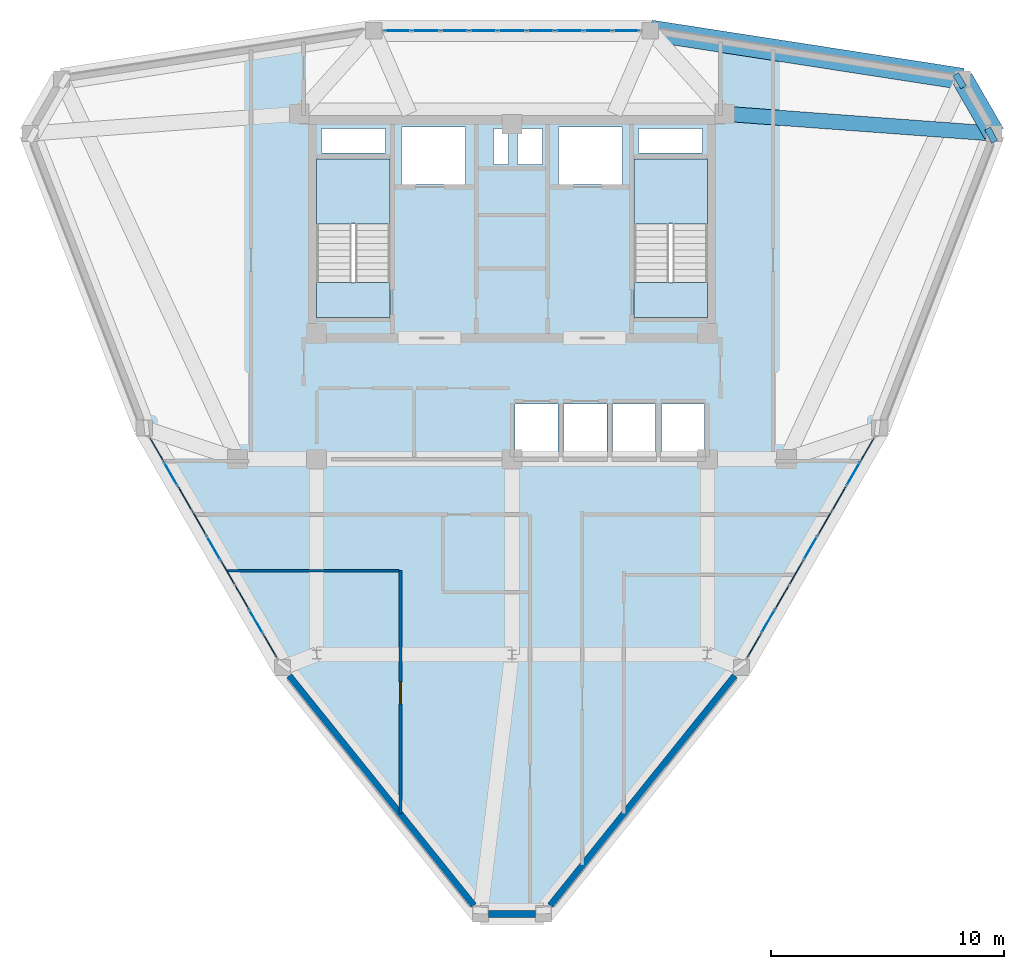
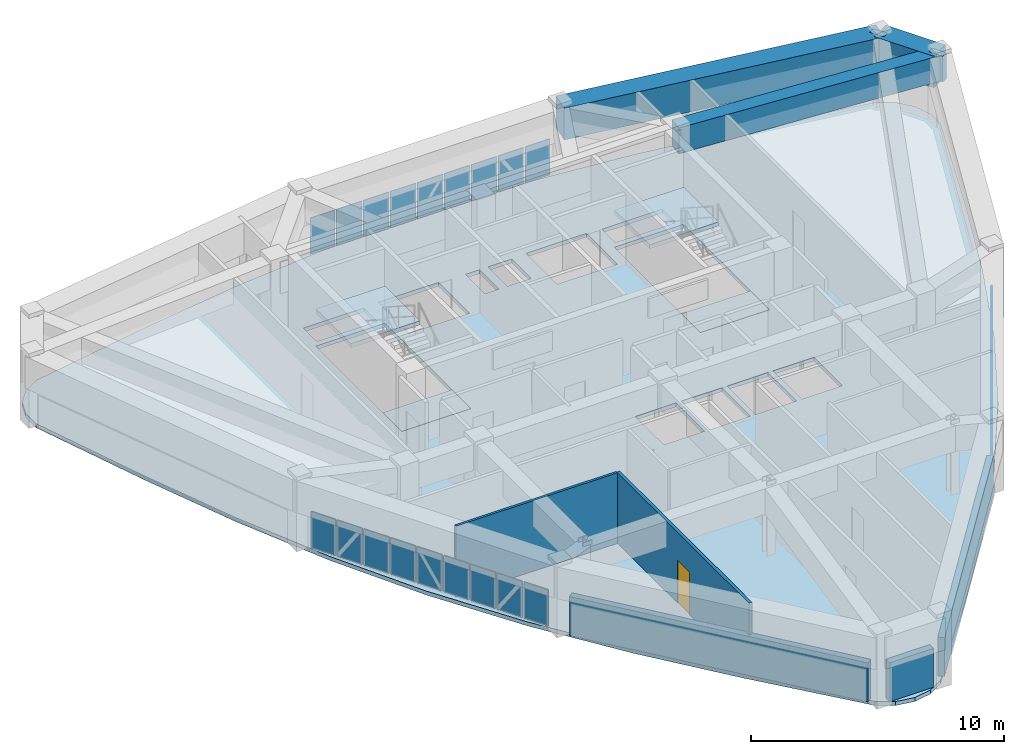
# One storey, part 12 of 16: 27 plates, 5 beams, 5 slabs, 5 walls, 1 door, 1 opening, 5 elements without a shape of their own.
"""IFC4 building model written with IfcOpenShell, lengths in metres."""

from ifc_helpers import new_model, si_unit, derived_unit, direction, frame, frame_2d, origin, origin_2d, place, context, subcontext, project, spatial, polyline, rectangle, outline, extrude, source, transform, mapped, material, layer, layer_set, material_profile, profile_set, type_object, element, fill, aggregate, save


model = new_model("IFC4")

# Units and contexts
model_context = context("Model", 3, precision=1e-05, world=origin(), true_north=direction((0.0, 1.0)))
body_context = subcontext(model_context, "Body", "Model", "MODEL_VIEW")
ifc_project = project(units=[si_unit("LENGTHUNIT", "METRE"), si_unit("AREAUNIT", "SQUARE_METRE"), si_unit("VOLUMEUNIT", "CUBIC_METRE"), si_unit("PLANEANGLEUNIT", "RADIAN"), si_unit("MASSUNIT", "GRAM", prefix="KILO"), derived_unit("THERMALTRANSMITTANCEUNIT", [(si_unit("POWERUNIT", "WATT"), 1), (si_unit("LENGTHUNIT", "METRE"), -2), (si_unit("THERMODYNAMICTEMPERATUREUNIT", "KELVIN"), -1)])], contexts=[model_context])

# Site, building, storey
site_placement = place(None, origin())
site = spatial("IfcSite", under=ifc_project, at=site_placement, CompositionType="ELEMENT")
building_placement = place(site_placement, origin())
building = spatial("IfcBuilding", under=site, at=building_placement, Name="Korsvarv Bourse and Concert Hall", CompositionType="ELEMENT")
storey_placement = place(building_placement, frame((0.0, 0.0, 261.0)))
storey = spatial("IfcBuildingStorey", under=building, at=storey_placement, Name="L68", CompositionType="ELEMENT", Elevation=261.0)

# Beams
ifc_material_1 = material(Name="Concrete C50/60", Category="concrete")
ifc_material_profile_1 = material_profile(ifc_material_1, rectangle(XDim=0.919921875, YDim=1.530029296875, at=origin_2d()), Name="RC-BM 920x1530")
ifc_profile_set_1 = profile_set([ifc_material_profile_1], Name="Concrete C50/60")
beam_type_1 = type_object("IfcBeamType", Name="BM-TR-154", PredefinedType="BEAM", material=ifc_profile_set_1)
shared_shape_1 = source(origin(), body_context, "Body", "SweptSolid", [
    extrude(rectangle(XDim=0.919921875, YDim=1.530029296875, at=origin_2d()), origin(), (0.0, 0.0, 1.0), 2.71337890625),
])
beam_1_placement = place(storey_placement, frame((56.72509765625, 46.399169921875, 2.64501953125), z_axis=(-0.500000246922, 0.866025261224, 0.0), x_axis=(-0.866025261224, -0.500000246922, 0.0)))
element("IfcBeam", 1, at=beam_1_placement, inside=storey, type_object=beam_type_1, Name="L68 beam B-TR6", PredefinedType="BEAM", context=body_context, shape_type="MappedRepresentation", body=[
    mapped(shared_shape_1, transform((0.0, 0.0, 0.0), scale=1.0)),
])
shared_shape_2 = source(origin(), body_context, "Body", "SweptSolid", [
    extrude(rectangle(XDim=0.919921875, YDim=1.530029296875, at=origin_2d()), origin(), (0.0, 0.0, 1.0), 13.581787109375),
])
beam_2_placement = place(storey_placement, frame((55.368408203125, 48.7490234375, 2.64501953125), z_axis=(-0.988275075433, 0.152683906414, 0.0), x_axis=(-0.152683906414, -0.988275075433, 0.0)))
element("IfcBeam", 2, at=beam_2_placement, inside=storey, type_object=beam_type_1, Name="L68 beam B-TR6", PredefinedType="BEAM", context=body_context, shape_type="MappedRepresentation", body=[
    mapped(shared_shape_2, transform((0.0, 0.0, 0.0), scale=1.0)),
])
ifc_material_profile_2 = material_profile(ifc_material_1, rectangle(XDim=0.64990234375, YDim=1.239990234375, at=origin_2d()), Name="RC-BM 650x1240")
ifc_profile_set_2 = profile_set([ifc_material_profile_2], Name="Concrete C50/60")
beam_type_2 = type_object("IfcBeamType", Name="BM-TR-SPN", PredefinedType="BEAM", material=ifc_profile_set_2)
shared_shape_3 = source(origin(), body_context, "Body", "SweptSolid", [
    extrude(rectangle(XDim=0.64990234375, YDim=1.239990234375, at=origin_2d()), origin(), (0.0, 0.0, 1.0), 11.6064453125),
])
beam_3_placement = place(storey_placement, frame((56.72509765625, 46.399169921875, 2.7900390625), z_axis=(-0.997309434835, 0.073306829081, 0.0), x_axis=(-0.073306829081, -0.997309434835, 0.0)))
element("IfcBeam", 3, at=beam_3_placement, inside=storey, type_object=beam_type_2, Name="L68 beam B-TRS", PredefinedType="BEAM", context=body_context, shape_type="MappedRepresentation", body=[
    mapped(shared_shape_3, transform((0.0, 0.0, 0.0), scale=1.0)),
])
shared_shape_4 = source(origin(), body_context, "Body", "SweptSolid", [
    extrude(rectangle(XDim=0.64990234375, YDim=1.239990234375, at=origin_2d()), origin(), (0.0, 0.0, 1.0), 0.283935546875),
])
for number, where, z_axis, x_axis, name in (
    (4, (56.72509765625, 46.399169921875, 2.7900390625), (-0.883871558168, -0.467729696151, 0.0), (0.467729696151, -0.883871558168, 0.0), "L68 beam B-TRS"),
    (5, (55.368408203125, 48.7490234375, 2.7900390625), (-0.846691871974, -0.532083521576, 0.0), (0.532083521576, -0.846691871974, 0.0), "L68 beam B-TRS"),
):
    element("IfcBeam", number, at=place(storey_placement, frame(where, z_axis=z_axis, x_axis=x_axis)), inside=storey, type_object=beam_type_2, Name=name, PredefinedType="BEAM", context=body_context, shape_type="MappedRepresentation", body=[
        mapped(shared_shape_4, transform((0.0, 0.0, 0.0), scale=1.0)),
    ])

# Slabs
ifc_material_2 = material(Name="Precast concrete C45/55", Category="concrete")
ifc_layer_1 = layer(ifc_material_2, 0.199951171875)
ifc_layer_set_1 = layer_set([ifc_layer_1], Name="Precast concrete C45/55")
slab_type_1 = type_object("IfcSlabType", Name="SLB-FLND-T", PredefinedType="LANDING", material=ifc_layer_set_1)
slab_1_placement = place(storey_placement, frame((0.0, 0.0, -0.199951171875)))
element("IfcSlab", 6, at=slab_1_placement, inside=storey, type_object=slab_type_1, Name="L68 Stair ST-T1 Floor Landing Slab", PredefinedType="LANDING", context=body_context, shape_type="SweptSolid", body=[
    extrude(outline(polyline([(30.760009765625, 38.5), (30.760009765625, 40.0), (27.60009765625, 40.0), (27.60009765625, 38.5), (30.760009765625, 38.5)])), origin(), (0.0, 0.0, 1.0), 0.199951171875),
])
slab_2_placement = place(storey_placement, frame((0.0, 0.0, -0.199951171875)))
element("IfcSlab", 7, at=slab_2_placement, inside=storey, type_object=slab_type_1, Name="L68 Stair ST-T2 Floor Landing Slab", PredefinedType="LANDING", context=body_context, shape_type="SweptSolid", body=[
    extrude(outline(polyline([(44.39990234375, 38.5), (44.39990234375, 40.0), (41.239990234375, 40.0), (41.239990234375, 38.5), (44.39990234375, 38.5)])), origin(), (0.0, 0.0, 1.0), 0.199951171875),
])

# Stair, slab
stair_type = type_object("IfcStairType", Name="STR-TYPE-04", PredefinedType="HALF_TURN_STAIR", material=ifc_material_2)
stair_1_placement = place(storey_placement, origin())
stair_1 = element("IfcStair", 8, at=stair_1_placement, inside=storey, type_object=stair_type, Name="L68 Tower West Exit Stair ST-T1", PredefinedType="HALF_TURN_STAIR")
ifc_layer_2 = layer(ifc_material_2, 0.199951171875)
ifc_layer_set_2 = layer_set([ifc_layer_2], Name="Precast concrete C45/55")
slab_type_2 = type_object("IfcSlabType", Name="SLB-ST-LND", PredefinedType="LANDING", material=ifc_layer_set_2)
slab_3_placement = place(storey_placement, frame((0.0, 0.0, 1.60009765625)))
slab_3 = element("IfcSlab", 9, at=slab_3_placement, type_object=slab_type_2, Name="ST-T1 landing 1", PredefinedType="LANDING", context=body_context, shape_type="SweptSolid", body=[
    extrude(outline(polyline([(30.760009765625, 42.52001953125), (30.760009765625, 45.300048828125), (27.60009765625, 45.300048828125), (27.60009765625, 42.52001953125), (30.760009765625, 42.52001953125)])), origin(), (0.0, 0.0, 1.0), 0.199951171875),
])
aggregate(stair_1, [slab_3])

stair_2_placement = place(storey_placement, origin())
stair_2 = element("IfcStair", 10, at=stair_2_placement, inside=storey, type_object=stair_type, Name="L68 Tower East Exit Stair ST-T2", PredefinedType="HALF_TURN_STAIR")
slab_4_placement = place(storey_placement, frame((0.0, 0.0, 1.60009765625)))
slab_4 = element("IfcSlab", 11, at=slab_4_placement, type_object=slab_type_2, Name="ST-T2 landing 1", PredefinedType="LANDING", context=body_context, shape_type="SweptSolid", body=[
    extrude(outline(polyline([(44.39990234375, 42.52001953125), (44.39990234375, 45.300048828125), (41.239990234375, 45.300048828125), (41.239990234375, 42.52001953125), (44.39990234375, 42.52001953125)])), origin(), (0.0, 0.0, 1.0), 0.199951171875),
])
aggregate(stair_2, [slab_4])

# Slab
ifc_material_3 = material(Name="Concrete C45/55", Category="concrete")
ifc_layer_3 = layer(ifc_material_3, 0.18994140625)
ifc_layer_set_3 = layer_set([ifc_layer_3], Name="Concrete C45/55")
slab_type_3 = type_object("IfcSlabType", Name="SLB-TW3", PredefinedType="FLOOR", material=ifc_layer_set_3)
slab_5_placement = place(storey_placement, frame((0.0, 0.0, -0.18994140625)))
element("IfcSlab", 12, at=slab_5_placement, inside=storey, type_object=slab_type_3, Name="L68 tower structural floor slab", PredefinedType="FLOOR", context=body_context, shape_type="SweptSolid", body=[
    extrude(outline(polyline([(56.33544921875, 45.296142578125), (54.7470703125, 40.9228515625), (53.059814453125, 36.63134765625), (51.1826171875, 32.468994140625), (49.05419921875, 28.463134765625), (46.6494140625, 24.61669921875), (43.983154296875, 20.91015625), (41.110107421875, 17.302978515625), (38.11669921875, 13.740478515625), (37.496826171875, 13.001953125), (36.79638671875, 12.59765625), (36.0, 12.457275390625), (35.20361328125, 12.59765625), (34.503173828125, 13.001953125), (33.883056640625, 13.740966796875), (30.889892578125, 17.302978515625), (28.016845703125, 20.91015625), (25.3505859375, 24.61669921875), (22.94580078125, 28.463134765625), (20.8173828125, 32.468994140625), (18.940185546875, 36.63134765625), (17.2529296875, 40.9228515625), (15.664306640625, 45.296875), (15.334716796875, 46.20263671875), (15.334716796875, 47.011474609375), (15.611328125, 47.771484375), (16.131103515625, 48.39111328125), (16.83154296875, 48.79541015625), (17.781494140625, 48.962890625), (22.363037109375, 49.774169921875), (26.92333984375, 50.45849609375), (31.466552734375, 50.9140625), (36.0, 51.07373046875), (40.533447265625, 50.9140625), (45.07666015625, 50.45849609375), (49.636962890625, 49.774169921875), (54.218994140625, 48.962890625), (55.16845703125, 48.79541015625), (55.868896484375, 48.39111328125), (56.388671875, 47.771484375), (56.665283203125, 47.011474609375), (56.665283203125, 46.20263671875), (56.33544921875, 45.296142578125)]), holes=[polyline([(30.760009765625, 38.5), (30.760009765625, 45.300048828125), (27.60009765625, 45.300048828125), (27.60009765625, 38.5), (30.760009765625, 38.5)]), polyline([(44.39990234375, 38.5), (44.39990234375, 45.300048828125), (41.239990234375, 45.300048828125), (41.239990234375, 38.5), (44.39990234375, 38.5)]), polyline([(31.239990234375, 44.219970703125), (34.0, 44.219970703125), (34.0, 46.679931640625), (31.239990234375, 46.679931640625), (31.239990234375, 44.219970703125)]), polyline([(38.0, 44.219970703125), (40.760009765625, 44.219970703125), (40.760009765625, 46.679931640625), (38.0, 46.679931640625), (38.0, 44.219970703125)]), polyline([(36.1201171875, 32.52001953125), (37.97998046875, 32.52001953125), (37.97998046875, 34.780029296875), (36.1201171875, 34.780029296875), (36.1201171875, 32.52001953125)]), polyline([(38.219970703125, 32.52001953125), (40.080078125, 32.52001953125), (40.080078125, 34.780029296875), (38.219970703125, 34.780029296875), (38.219970703125, 32.52001953125)]), polyline([(40.320068359375, 32.52001953125), (42.179931640625, 32.52001953125), (42.179931640625, 34.780029296875), (40.320068359375, 34.780029296875), (40.320068359375, 32.52001953125)]), polyline([(42.419921875, 32.52001953125), (44.280029296875, 32.52001953125), (44.280029296875, 34.780029296875), (42.419921875, 34.780029296875), (42.419921875, 32.52001953125)]), polyline([(27.800048828125, 45.56005859375), (30.56005859375, 45.56005859375), (30.56005859375, 46.6201171875), (27.800048828125, 46.6201171875), (27.800048828125, 45.56005859375)]), polyline([(41.43994140625, 45.56005859375), (44.199951171875, 45.56005859375), (44.199951171875, 46.6201171875), (41.43994140625, 46.6201171875), (41.43994140625, 45.56005859375)]), polyline([(35.199951171875, 45.080078125), (35.840087890625, 45.080078125), (35.840087890625, 46.6201171875), (35.199951171875, 46.6201171875), (35.199951171875, 45.080078125)]), polyline([(36.239990234375, 45.080078125), (37.320068359375, 45.080078125), (37.320068359375, 46.6201171875), (36.239990234375, 46.6201171875), (36.239990234375, 45.080078125)])]), origin(), (0.0, 0.0, 1.0), 0.18994140625),
])

# Curtain wall, plates
ifc_material_4 = material(Name="Anodised aluminium and triple low-E glazing", Category="glass")
ifc_layer_4 = layer(ifc_material_4, 0.199951171875)
ifc_layer_set_4 = layer_set([ifc_layer_4], Name="Anodised aluminium and triple low-E glazing")
curtain_wall_type = type_object("IfcCurtainWallType", Name="CW-SYS-3", PredefinedType="NOTDEFINED", material=ifc_layer_set_4)
curtain_wall_1_placement = place(storey_placement, origin())
curtain_wall_1 = element("IfcCurtainWall", 13, at=curtain_wall_1_placement, inside=storey, type_object=curtain_wall_type, Name="L68 CW3 curtain wall CW-L68-F03", PredefinedType="NOTDEFINED")
ifc_material_5 = material(Name="Tempered triple insulated low-E architectural glass", Category="glass")
ifc_layer_5 = layer(ifc_material_5, 0.0380859375)
ifc_layer_set_5 = layer_set([ifc_layer_5], Name="Tempered triple insulated low-E architectural glass")
plate_type_1 = type_object("IfcPlateType", Name="CWP-VIS2", PredefinedType="CURTAIN_PANEL", material=ifc_layer_set_5)
shared_shape_5 = source(origin(), body_context, "Body", "SweptSolid", [
    extrude(rectangle(XDim=1.12744140625, YDim=0.0380859375, at=origin_2d()), origin(), (0.0, 0.0, 1.0), 1.75),
])
plate_1_placement = place(storey_placement, frame((40.912109375, 50.82275390625, 0.06494140625), z_axis=(0.0, 0.0, 1.0), x_axis=(-1.0, 0.0, 0.0)))
plate_1 = element("IfcPlate", 14, at=plate_1_placement, type_object=plate_type_1, Name="CW3 faceted panel 1.1", PredefinedType="CURTAIN_PANEL", context=body_context, shape_type="MappedRepresentation", body=[
    mapped(shared_shape_5, transform((0.0, 0.0, 0.0), scale=1.0)),
])
plate_2_placement = place(storey_placement, frame((31.087890625, 50.82275390625, 0.06494140625), z_axis=(0.0, 0.0, 1.0), x_axis=(-1.0, 0.0, 0.0)))
plate_2 = element("IfcPlate", 15, at=plate_2_placement, type_object=plate_type_1, Name="CW3 faceted panel 9.1", PredefinedType="CURTAIN_PANEL", context=body_context, shape_type="MappedRepresentation", body=[
    mapped(shared_shape_5, transform((0.0, 0.0, 0.0), scale=1.0)),
])
ifc_material_6 = material(Name="Insulated spandrel glass", Category="glass")
ifc_layer_6 = layer(ifc_material_6, 0.031982421875)
ifc_layer_set_6 = layer_set([ifc_layer_6], Name="Insulated spandrel glass")
plate_type_2 = type_object("IfcPlateType", Name="CWP-SPD1", PredefinedType="CURTAIN_PANEL", material=ifc_layer_set_6)
shared_shape_6 = source(origin(), body_context, "Body", "SweptSolid", [
    extrude(rectangle(XDim=1.162353515625, YDim=0.031982421875, at=origin_2d()), origin(), (0.0, 0.0, 1.0), 1.75),
])
plate_3_placement = place(storey_placement, frame((39.697021484375, 50.82275390625, 0.06494140625), z_axis=(0.0, 0.0, 1.0), x_axis=(-1.0, 0.0, 0.0)))
plate_3 = element("IfcPlate", 16, at=plate_3_placement, type_object=plate_type_2, Name="CW3 spandrel shadow-box panel 2.1", PredefinedType="CURTAIN_PANEL", context=body_context, shape_type="MappedRepresentation", body=[
    mapped(shared_shape_6, transform((0.0, 0.0, 0.0), scale=1.0)),
])
plate_4_placement = place(storey_placement, frame((36.0, 50.82275390625, 0.06494140625), z_axis=(0.0, 0.0, 1.0), x_axis=(-1.0, 0.0, 0.0)))
plate_4 = element("IfcPlate", 17, at=plate_4_placement, type_object=plate_type_2, Name="CW3 spandrel shadow-box panel 5.1", PredefinedType="CURTAIN_PANEL", context=body_context, shape_type="MappedRepresentation", body=[
    mapped(shared_shape_6, transform((0.0, 0.0, 0.0), scale=1.0)),
])
plate_5_placement = place(storey_placement, frame((32.302978515625, 50.82275390625, 0.06494140625), z_axis=(0.0, 0.0, 1.0), x_axis=(-1.0, 0.0, 0.0)))
plate_5 = element("IfcPlate", 18, at=plate_5_placement, type_object=plate_type_2, Name="CW3 spandrel shadow-box panel 8.1", PredefinedType="CURTAIN_PANEL", context=body_context, shape_type="MappedRepresentation", body=[
    mapped(shared_shape_6, transform((0.0, 0.0, 0.0), scale=1.0)),
])
shared_shape_7 = source(origin(), body_context, "Body", "SweptSolid", [
    extrude(rectangle(XDim=1.162353515625, YDim=0.0380859375, at=origin_2d()), origin(), (0.0, 0.0, 1.0), 1.75),
])
plate_6_placement = place(storey_placement, frame((38.46484375, 50.82275390625, 0.06494140625), z_axis=(0.0, 0.0, 1.0), x_axis=(-1.0, 0.0, 0.0)))
plate_6 = element("IfcPlate", 19, at=plate_6_placement, type_object=plate_type_1, Name="CW3 faceted panel 3.1", PredefinedType="CURTAIN_PANEL", context=body_context, shape_type="MappedRepresentation", body=[
    mapped(shared_shape_7, transform((0.0, 0.0, 0.0), scale=1.0)),
])
plate_7_placement = place(storey_placement, frame((37.232421875, 50.82275390625, 0.06494140625), z_axis=(0.0, 0.0, 1.0), x_axis=(-1.0, 0.0, 0.0)))
plate_7 = element("IfcPlate", 20, at=plate_7_placement, type_object=plate_type_1, Name="CW3 faceted panel 4.1", PredefinedType="CURTAIN_PANEL", context=body_context, shape_type="MappedRepresentation", body=[
    mapped(shared_shape_7, transform((0.0, 0.0, 0.0), scale=1.0)),
])
plate_8_placement = place(storey_placement, frame((34.767578125, 50.82275390625, 0.06494140625), z_axis=(0.0, 0.0, 1.0), x_axis=(-1.0, 0.0, 0.0)))
plate_8 = element("IfcPlate", 21, at=plate_8_placement, type_object=plate_type_1, Name="CW3 faceted panel 6.1", PredefinedType="CURTAIN_PANEL", context=body_context, shape_type="MappedRepresentation", body=[
    mapped(shared_shape_7, transform((0.0, 0.0, 0.0), scale=1.0)),
])
plate_9_placement = place(storey_placement, frame((33.53515625, 50.82275390625, 0.06494140625), z_axis=(0.0, 0.0, 1.0), x_axis=(-1.0, 0.0, 0.0)))
plate_9 = element("IfcPlate", 22, at=plate_9_placement, type_object=plate_type_1, Name="CW3 faceted panel 7.1", PredefinedType="CURTAIN_PANEL", context=body_context, shape_type="MappedRepresentation", body=[
    mapped(shared_shape_7, transform((0.0, 0.0, 0.0), scale=1.0)),
])
aggregate(curtain_wall_1, [plate_1, plate_3, plate_6, plate_7, plate_4, plate_8, plate_9, plate_5, plate_2])

curtain_wall_2_placement = place(storey_placement, origin())
curtain_wall_2 = element("IfcCurtainWall", 23, at=curtain_wall_2_placement, inside=storey, type_object=curtain_wall_type, Name="L68 CW3 curtain wall CW-L68-F07", PredefinedType="NOTDEFINED")
shared_shape_8 = source(origin(), body_context, "Body", "SweptSolid", [
    extrude(rectangle(XDim=1.113525390625, YDim=0.0380859375, at=origin_2d()), origin(), (0.0, 0.0, 1.0), 1.75),
])
plate_10_placement = place(storey_placement, frame((20.734619140625, 32.794921875, 0.06494140625), z_axis=(0.0, 0.0, 1.0), x_axis=(0.500003688417, -0.866023274265, 0.0)))
plate_10 = element("IfcPlate", 24, at=plate_10_placement, type_object=plate_type_1, Name="CW3 faceted panel 1.1", PredefinedType="CURTAIN_PANEL", context=body_context, shape_type="MappedRepresentation", body=[
    mapped(shared_shape_8, transform((0.0, 0.0, 0.0), scale=1.0)),
])
plate_11_placement = place(storey_placement, frame((25.591796875, 24.38232421875, 0.06494140625), z_axis=(0.0, 0.0, 1.0), x_axis=(0.500003688417, -0.866023274265, 0.0)))
plate_11 = element("IfcPlate", 25, at=plate_11_placement, type_object=plate_type_1, Name="CW3 faceted panel 9.1", PredefinedType="CURTAIN_PANEL", context=body_context, shape_type="MappedRepresentation", body=[
    mapped(shared_shape_8, transform((0.0, 0.0, 0.0), scale=1.0)),
])

curtain_wall_3_placement = place(storey_placement, origin())
curtain_wall_3 = element("IfcCurtainWall", 26, at=curtain_wall_3_placement, inside=storey, type_object=curtain_wall_type, Name="L68 CW3 curtain wall CW-L68-F11", PredefinedType="NOTDEFINED")
plate_12_placement = place(storey_placement, frame((46.408203125, 24.38232421875, 0.06494140625), z_axis=(0.0, 0.0, 1.0), x_axis=(0.500003688417, 0.866023274265, 0.0)))
plate_12 = element("IfcPlate", 27, at=plate_12_placement, type_object=plate_type_1, Name="CW3 faceted panel 1.1", PredefinedType="CURTAIN_PANEL", context=body_context, shape_type="MappedRepresentation", body=[
    mapped(shared_shape_8, transform((0.0, 0.0, 0.0), scale=1.0)),
])
plate_13_placement = place(storey_placement, frame((51.265380859375, 32.794921875, 0.06494140625), z_axis=(0.0, 0.0, 1.0), x_axis=(0.500003688417, 0.866023274265, 0.0)))
plate_13 = element("IfcPlate", 28, at=plate_13_placement, type_object=plate_type_1, Name="CW3 faceted panel 9.1", PredefinedType="CURTAIN_PANEL", context=body_context, shape_type="MappedRepresentation", body=[
    mapped(shared_shape_8, transform((0.0, 0.0, 0.0), scale=1.0)),
])

# Plate
shared_shape_9 = source(origin(), body_context, "Body", "SweptSolid", [
    extrude(rectangle(XDim=1.148681640625, YDim=0.031982421875, at=origin_2d()), origin(), (0.0, 0.0, 1.0), 1.75),
])
plate_14_placement = place(storey_placement, frame((21.335205078125, 31.754638671875, 0.06494140625), z_axis=(0.0, 0.0, 1.0), x_axis=(0.500003688417, -0.866023274265, 0.0)))
plate_14 = element("IfcPlate", 29, at=plate_14_placement, type_object=plate_type_2, Name="CW3 spandrel shadow-box panel 2.1", PredefinedType="CURTAIN_PANEL", context=body_context, shape_type="MappedRepresentation", body=[
    mapped(shared_shape_9, transform((0.0, 0.0, 0.0), scale=1.0)),
])

plate_15_placement = place(storey_placement, frame((23.1630859375, 28.588623046875, 0.06494140625), z_axis=(0.0, 0.0, 1.0), x_axis=(0.500003688417, -0.866023274265, 0.0)))
plate_15 = element("IfcPlate", 30, at=plate_15_placement, type_object=plate_type_2, Name="CW3 spandrel shadow-box panel 5.1", PredefinedType="CURTAIN_PANEL", context=body_context, shape_type="MappedRepresentation", body=[
    mapped(shared_shape_9, transform((0.0, 0.0, 0.0), scale=1.0)),
])

plate_16_placement = place(storey_placement, frame((24.9912109375, 25.422607421875, 0.06494140625), z_axis=(0.0, 0.0, 1.0), x_axis=(0.500003688417, -0.866023274265, 0.0)))
plate_16 = element("IfcPlate", 31, at=plate_16_placement, type_object=plate_type_2, Name="CW3 spandrel shadow-box panel 8.1", PredefinedType="CURTAIN_PANEL", context=body_context, shape_type="MappedRepresentation", body=[
    mapped(shared_shape_9, transform((0.0, 0.0, 0.0), scale=1.0)),
])

plate_17_placement = place(storey_placement, frame((47.0087890625, 25.422607421875, 0.06494140625), z_axis=(0.0, 0.0, 1.0), x_axis=(0.500003688417, 0.866023274265, 0.0)))
plate_17 = element("IfcPlate", 32, at=plate_17_placement, type_object=plate_type_2, Name="CW3 spandrel shadow-box panel 2.1", PredefinedType="CURTAIN_PANEL", context=body_context, shape_type="MappedRepresentation", body=[
    mapped(shared_shape_9, transform((0.0, 0.0, 0.0), scale=1.0)),
])

plate_18_placement = place(storey_placement, frame((48.8369140625, 28.588623046875, 0.06494140625), z_axis=(0.0, 0.0, 1.0), x_axis=(0.500003688417, 0.866023274265, 0.0)))
plate_18 = element("IfcPlate", 33, at=plate_18_placement, type_object=plate_type_2, Name="CW3 spandrel shadow-box panel 5.1", PredefinedType="CURTAIN_PANEL", context=body_context, shape_type="MappedRepresentation", body=[
    mapped(shared_shape_9, transform((0.0, 0.0, 0.0), scale=1.0)),
])

plate_19_placement = place(storey_placement, frame((50.664794921875, 31.754638671875, 0.06494140625), z_axis=(0.0, 0.0, 1.0), x_axis=(0.500003688417, 0.866023274265, 0.0)))
plate_19 = element("IfcPlate", 34, at=plate_19_placement, type_object=plate_type_2, Name="CW3 spandrel shadow-box panel 8.1", PredefinedType="CURTAIN_PANEL", context=body_context, shape_type="MappedRepresentation", body=[
    mapped(shared_shape_9, transform((0.0, 0.0, 0.0), scale=1.0)),
])

shared_shape_10 = source(origin(), body_context, "Body", "SweptSolid", [
    extrude(rectangle(XDim=1.148681640625, YDim=0.0380859375, at=origin_2d()), origin(), (0.0, 0.0, 1.0), 1.75),
])
plate_20_placement = place(storey_placement, frame((21.944580078125, 30.699462890625, 0.06494140625), z_axis=(0.0, 0.0, 1.0), x_axis=(0.500003688417, -0.866023274265, 0.0)))
plate_20 = element("IfcPlate", 35, at=plate_20_placement, type_object=plate_type_1, Name="CW3 faceted panel 3.1", PredefinedType="CURTAIN_PANEL", context=body_context, shape_type="MappedRepresentation", body=[
    mapped(shared_shape_10, transform((0.0, 0.0, 0.0), scale=1.0)),
])

plate_21_placement = place(storey_placement, frame((22.5537109375, 29.64404296875, 0.06494140625), z_axis=(0.0, 0.0, 1.0), x_axis=(0.500003688417, -0.866023274265, 0.0)))
plate_21 = element("IfcPlate", 36, at=plate_21_placement, type_object=plate_type_1, Name="CW3 faceted panel 4.1", PredefinedType="CURTAIN_PANEL", context=body_context, shape_type="MappedRepresentation", body=[
    mapped(shared_shape_10, transform((0.0, 0.0, 0.0), scale=1.0)),
])

plate_22_placement = place(storey_placement, frame((23.7724609375, 27.533203125, 0.06494140625), z_axis=(0.0, 0.0, 1.0), x_axis=(0.500003688417, -0.866023274265, 0.0)))
plate_22 = element("IfcPlate", 37, at=plate_22_placement, type_object=plate_type_1, Name="CW3 faceted panel 6.1", PredefinedType="CURTAIN_PANEL", context=body_context, shape_type="MappedRepresentation", body=[
    mapped(shared_shape_10, transform((0.0, 0.0, 0.0), scale=1.0)),
])

plate_23_placement = place(storey_placement, frame((24.3818359375, 26.47802734375, 0.06494140625), z_axis=(0.0, 0.0, 1.0), x_axis=(0.500003688417, -0.866023274265, 0.0)))
plate_23 = element("IfcPlate", 38, at=plate_23_placement, type_object=plate_type_1, Name="CW3 faceted panel 7.1", PredefinedType="CURTAIN_PANEL", context=body_context, shape_type="MappedRepresentation", body=[
    mapped(shared_shape_10, transform((0.0, 0.0, 0.0), scale=1.0)),
])

aggregate(curtain_wall_2, [plate_10, plate_14, plate_20, plate_21, plate_15, plate_22, plate_23, plate_16, plate_11])

plate_24_placement = place(storey_placement, frame((47.6181640625, 26.47802734375, 0.06494140625), z_axis=(0.0, 0.0, 1.0), x_axis=(0.500003688417, 0.866023274265, 0.0)))
plate_24 = element("IfcPlate", 39, at=plate_24_placement, type_object=plate_type_1, Name="CW3 faceted panel 3.1", PredefinedType="CURTAIN_PANEL", context=body_context, shape_type="MappedRepresentation", body=[
    mapped(shared_shape_10, transform((0.0, 0.0, 0.0), scale=1.0)),
])

plate_25_placement = place(storey_placement, frame((48.2275390625, 27.533203125, 0.06494140625), z_axis=(0.0, 0.0, 1.0), x_axis=(0.500003688417, 0.866023274265, 0.0)))
plate_25 = element("IfcPlate", 40, at=plate_25_placement, type_object=plate_type_1, Name="CW3 faceted panel 4.1", PredefinedType="CURTAIN_PANEL", context=body_context, shape_type="MappedRepresentation", body=[
    mapped(shared_shape_10, transform((0.0, 0.0, 0.0), scale=1.0)),
])

plate_26_placement = place(storey_placement, frame((49.4462890625, 29.64404296875, 0.06494140625), z_axis=(0.0, 0.0, 1.0), x_axis=(0.500003688417, 0.866023274265, 0.0)))
plate_26 = element("IfcPlate", 41, at=plate_26_placement, type_object=plate_type_1, Name="CW3 faceted panel 6.1", PredefinedType="CURTAIN_PANEL", context=body_context, shape_type="MappedRepresentation", body=[
    mapped(shared_shape_10, transform((0.0, 0.0, 0.0), scale=1.0)),
])

plate_27_placement = place(storey_placement, frame((50.055419921875, 30.699462890625, 0.06494140625), z_axis=(0.0, 0.0, 1.0), x_axis=(0.500003688417, 0.866023274265, 0.0)))
plate_27 = element("IfcPlate", 42, at=plate_27_placement, type_object=plate_type_1, Name="CW3 faceted panel 7.1", PredefinedType="CURTAIN_PANEL", context=body_context, shape_type="MappedRepresentation", body=[
    mapped(shared_shape_10, transform((0.0, 0.0, 0.0), scale=1.0)),
])

aggregate(curtain_wall_3, [plate_12, plate_17, plate_24, plate_25, plate_18, plate_26, plate_27, plate_19, plate_13])

# Walls
ifc_material_7 = material(Name="Precast concrete C45/55 with terracotta rainscreen", Category="concrete")
ifc_layer_7 = layer(ifc_material_7, 0.300048828125)
ifc_layer_set_7 = layer_set([ifc_layer_7], Name="Precast concrete C45/55 with terracotta rainscreen")
wall_type_1 = type_object("IfcWallType", Name="WL-EXT-TC1", PredefinedType="SOLIDWALL", material=ifc_layer_set_7)
wall_1_placement = place(storey_placement, frame((34.998291015625, 12.851806640625, 0.0), z_axis=(0.0, 0.0, 1.0), x_axis=(1.0, 0.0, 0.0)))
element("IfcWall", 43, at=wall_1_placement, inside=storey, type_object=wall_type_1, Name="L68 terracotta exterior wall EW-L68-B09", PredefinedType="SOLIDWALL", context=body_context, shape_type="SweptSolid", body=[
    extrude(rectangle(XDim=2.00341796875, YDim=0.300048828125, at=frame_2d((1.001708984375, 0.0))), origin(), (0.0, 0.0, 1.0), 1.8798828125),
])
ifc_material_8 = material(Name="Precast concrete C45/55 with fluted terracotta pier", Category="concrete")
ifc_layer_8 = layer(ifc_material_8, 0.280029296875)
ifc_layer_set_8 = layer_set([ifc_layer_8], Name="Precast concrete C45/55 with fluted terracotta pier")
wall_type_2 = type_object("IfcWallType", Name="WL-EXT-TC2", PredefinedType="SOLIDWALL", material=ifc_layer_set_8)
for number, where, z_axis, x_axis, name in (
    (44, (26.421142578125, 23.08447265625, 0.0), (0.0, 0.0, 1.0), (0.626371247501, -0.77952489396, 0.0), "L68 terracotta exterior wall EW-L68-B08"),
    (45, (37.641845703125, 13.206787109375, 0.0), (0.0, 0.0, 1.0), (0.626371247501, 0.77952489396, 0.0), "L68 terracotta exterior wall EW-L68-B10"),
):
    element("IfcWall", number, at=place(storey_placement, frame(where, z_axis=z_axis, x_axis=x_axis)), inside=storey, type_object=wall_type_2, Name=name, PredefinedType="SOLIDWALL", context=body_context, shape_type="SweptSolid", body=[
        extrude(rectangle(XDim=12.67138671875, YDim=0.280029296875, at=frame_2d((6.335693359375, 0.0))), origin(), (0.0, 0.0, 1.0), 1.8798828125),
    ])
ifc_material_9 = material(Name="Demountable acoustic glass and aluminium dealing partition", Category="aluminium")
ifc_layer_9 = layer(ifc_material_9, 0.110107421875)
ifc_layer_set_9 = layer_set([ifc_layer_9], Name="Demountable acoustic glass and aluminium dealing partition")
wall_type_3 = type_object("IfcWallType", Name="WL-INT-MOV", PredefinedType="MOVABLE", material=ifc_layer_set_9)
wall_2_placement = place(storey_placement, frame((23.751220703125, 27.60498046875, 0.0), z_axis=(0.0, 0.0, 1.0), x_axis=(1.0, 0.0, 0.0)))
element("IfcWall", 46, at=wall_2_placement, inside=storey, type_object=wall_type_3, Name="L68 interior partition wall W-L68-TCOR-13", PredefinedType="MOVABLE", context=body_context, shape_type="SweptSolid", body=[
    extrude(rectangle(XDim=7.3818359375, YDim=0.110107421875, at=frame_2d((3.69091796875, 0.0))), origin(), (0.0, 0.0, 1.0), 3.409912109375),
])

# Wall, opening, door
ifc_material_10 = material(Name="Insulated steel-stud office acoustic partition", Category="gypsum")
ifc_layer_10 = layer(ifc_material_10, 0.139892578125)
ifc_layer_set_10 = layer_set([ifc_layer_10], Name="Insulated steel-stud office acoustic partition")
wall_type_4 = type_object("IfcWallType", Name="WL-INT-P1", PredefinedType="PARTITIONING", material=ifc_layer_set_10)
wall_3_placement = place(storey_placement, frame((31.205078125, 17.15087890625, 0.0), z_axis=(0.0, 0.0, 1.0), x_axis=(0.0, 1.0, 0.0)))
wall_3 = element("IfcWall", 47, at=wall_3_placement, inside=storey, type_object=wall_type_4, Name="L68 interior partition wall W-L68-TCOR-11", PredefinedType="PARTITIONING", context=body_context, shape_type="SweptSolid", body=[
    extrude(rectangle(XDim=10.459228515625, YDim=0.139892578125, at=frame_2d((5.2294921875, 0.0))), origin(), (0.0, 0.0, 1.0), 3.409912109375),
])
opening_placement = place(wall_3_placement, frame((4.72265625, 0.0, 0.0)))
opening = element("IfcOpeningElement", 48, at=opening_placement, cuts=wall_3, Name="Opening D-03", PredefinedType="OPENING", context=body_context, shape_type="SweptSolid", body=[
    extrude(rectangle(XDim=0.949951171875, YDim=2.050048828125, at=frame_2d((0.47509765625, 1.02490234375))), frame((0.0, 0.080078125, 0.0), z_axis=(0.0, -1.0, 0.0), x_axis=(1.0, 0.0, 0.0)), (0.0, 0.0, 1.0), 0.159912109375),
])
ifc_material_11 = material(Name="Nordic oak acoustic office door", Category="wood")
door_type = type_object("IfcDoorType", Name="DR-INT-1", OperationType="NOTDEFINED", PredefinedType="DOOR", material=ifc_material_11)
door_placement = place(opening_placement, origin())
door = element("IfcDoor", 49, at=door_placement, inside=storey, type_object=door_type, Name="L68 interior door DR-L68-TCOR-SAPW5", OperationType="SINGLE_SWING_RIGHT", OverallHeight=2.050048828125, OverallWidth=0.949951171875, PredefinedType="DOOR", context=body_context, shape_type="SweptSolid", body=[
    extrude(rectangle(XDim=0.949951171875, YDim=2.050048828125, at=frame_2d((0.47509765625, 1.02490234375))), frame((0.0, 0.02490234375, 0.0), z_axis=(0.0, -1.0, 0.0), x_axis=(1.0, 0.0, 0.0)), (0.0, 0.0, 1.0), 0.050048828125),
])
fill(opening, door)

save(model, "model.ifc")
